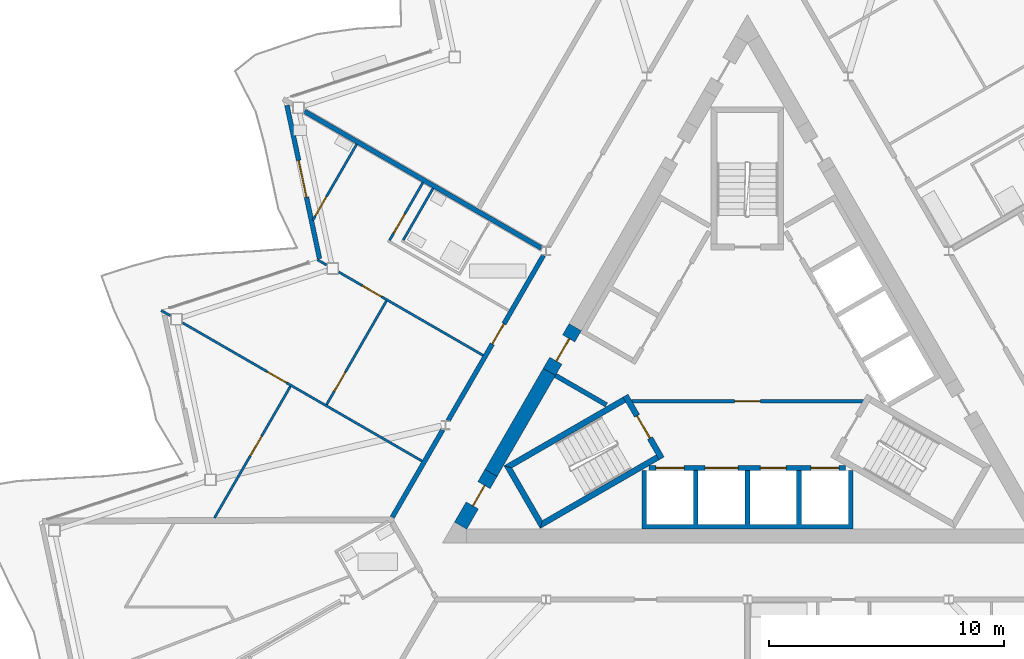
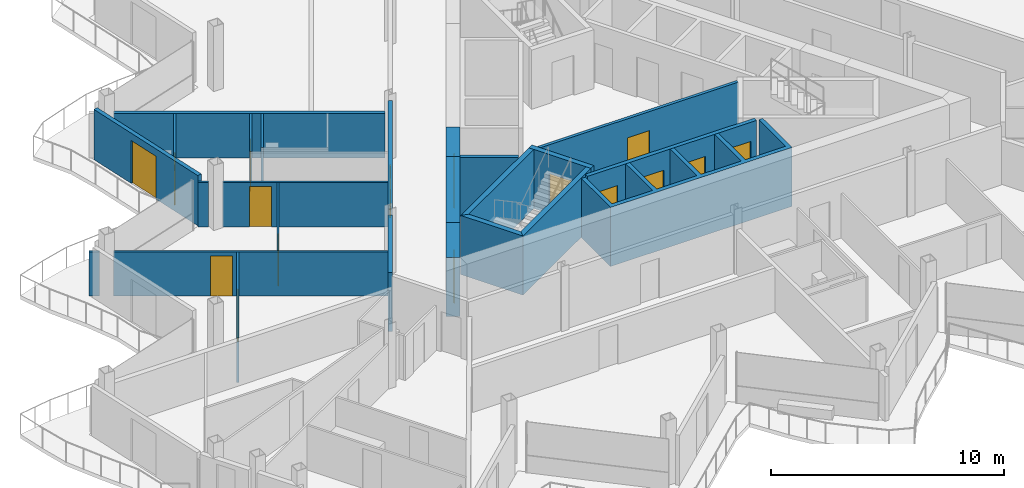
# One storey, part 13 of 26: 24 walls, 16 doors, 16 openings.
"""IFC4 building model written with IfcOpenShell, lengths in metres."""

from ifc_helpers import new_model, si_unit, direction, frame, frame_2d, origin, place, context, subcontext, project, spatial, polyline, rectangle, outline, extrude, material, layer, layer_set, type_object, element, fill, save


model = new_model("IFC4")

# Units and contexts
model_context = context("Model", 3, precision=1e-05, world=origin(), true_north=direction((0.0, 1.0)))
body_context = subcontext(model_context, "Body", "Model", "MODEL_VIEW")
ifc_project = project(units=[si_unit("LENGTHUNIT", "METRE"), si_unit("AREAUNIT", "SQUARE_METRE"), si_unit("VOLUMEUNIT", "CUBIC_METRE"), si_unit("PLANEANGLEUNIT", "RADIAN"), si_unit("MASSUNIT", "GRAM", prefix="KILO")], contexts=[model_context])

# Site, building, storey
site_placement = place(None, origin())
site = spatial("IfcSite", under=ifc_project, at=site_placement, CompositionType="ELEMENT")
building_placement = place(site_placement, origin())
building = spatial("IfcBuilding", under=site, at=building_placement, Name="Cormorant Prow Tower", CompositionType="ELEMENT")
storey_placement = place(building_placement, frame((0.0, 0.0, 364.39990234375)))
storey = spatial("IfcBuildingStorey", under=building, at=storey_placement, Name="L81", CompositionType="ELEMENT", Elevation=364.39990234375)

# Wall, opening, door
ifc_material_1 = material(Name="Gypsum board partition")
ifc_layer_1 = layer(ifc_material_1, 0.14990234375)
ifc_layer_set_1 = layer_set([ifc_layer_1], Name="Gypsum board partition")
wall_type_1 = type_object("IfcWallType", Name="Core partition 150", PredefinedType="PARTITIONING", material=ifc_layer_set_1)
wall_1_placement = place(storey_placement, frame((-4.941162109375, -1.449951171875, 0.0), z_axis=(0.0, 0.0, 1.0), x_axis=(1.0, 0.0, 0.0)))
wall_1 = element("IfcWall", 1, at=wall_1_placement, inside=storey, type_object=wall_type_1, Name="Firefighting lobby partition", PredefinedType="PARTITIONING", context=body_context, shape_type="SweptSolid", body=[
    extrude(rectangle(XDim=9.88232421875, YDim=0.14990234375, at=frame_2d((4.941162109375, 0.0))), origin(), (0.0, 0.0, 1.0), 3.10009765625),
])
opening_1_placement = place(wall_1_placement, frame((4.39111328125, 0.0, 0.0)))
opening_1 = element("IfcOpeningElement", 2, at=opening_1_placement, cuts=wall_1, Name="Opening L81-C11", PredefinedType="OPENING", context=body_context, shape_type="SweptSolid", body=[
    extrude(rectangle(XDim=1.10009765625, YDim=2.10009765625, at=frame_2d((0.550048828125, 1.050048828125))), frame((0.0, 0.0849609375, 0.0), z_axis=(0.0, -1.0, 0.0), x_axis=(1.0, 0.0, 0.0)), (0.0, 0.0, 1.0), 0.169921875),
])
ifc_material_2 = material(Name="Painted steel", Category="steel")
door_type_1 = type_object("IfcDoorType", Name="Firefighting lobby door 1100x2100", OperationType="NOTDEFINED", PredefinedType="DOOR", material=ifc_material_2)
door_1_placement = place(opening_1_placement, origin())
door_1 = element("IfcDoor", 3, at=door_1_placement, inside=storey, type_object=door_type_1, Name="Firefighting lobby door", OperationType="SINGLE_SWING_LEFT", OverallHeight=2.10009765625, OverallWidth=1.10009765625, PredefinedType="DOOR", context=body_context, shape_type="SweptSolid", body=[
    extrude(rectangle(XDim=1.10009765625, YDim=2.10009765625, at=frame_2d((0.550048828125, 1.050048828125))), frame((0.0, 0.02490234375, 0.0), z_axis=(0.0, -1.0, 0.0), x_axis=(1.0, 0.0, 0.0)), (0.0, 0.0, 1.0), 0.050048828125),
])
fill(opening_1, door_1)

# Wall
ifc_material_3 = material(Name="Concrete 8000 psi", Category="concrete")
ifc_layer_2 = layer(ifc_material_3, 0.60009765625)
ifc_layer_set_2 = layer_set([ifc_layer_2], Name="Concrete 8000 psi")
wall_type_2 = type_object("IfcWallType", Name="Core shear wall 600", PredefinedType="SHEAR", material=ifc_layer_set_2)
wall_2_placement = place(storey_placement, frame((-8.440185546875, -0.207763671875, 0.0), z_axis=(0.0, 0.0, 1.0), x_axis=(-0.500007425856, -0.866021116422, 0.0)))
element("IfcWall", 4, at=wall_2_placement, inside=storey, type_object=wall_type_2, Name="Core wall", PredefinedType="SHEAR", context=body_context, shape_type="SweptSolid", body=[
    extrude(rectangle(XDim=4.96875, YDim=0.60009765625, at=frame_2d((2.484375, 0.0))), origin(), (0.0, 0.0, 1.0), 3.10009765625),
])

# Wall, opening, door
wall_3_placement = place(storey_placement, frame((-10.924560546875, -4.5107421875, 0.0), z_axis=(0.0, 0.0, 1.0), x_axis=(-0.500018667571, -0.866014625789, 0.0)))
wall_3 = element("IfcWall", 5, at=wall_3_placement, inside=storey, type_object=wall_type_2, Name="Core wall door panel", PredefinedType="SHEAR", context=body_context, shape_type="SweptSolid", body=[
    extrude(rectangle(XDim=2.59228515625, YDim=0.60009765625, at=frame_2d((1.296142578125, 0.0))), origin(), (0.0, 0.0, 1.0), 3.10009765625),
])
opening_2_placement = place(wall_3_placement, frame((0.60009765625, 0.0, 0.0)))
opening_2 = element("IfcOpeningElement", 6, at=opening_2_placement, cuts=wall_3, Name="Opening L81-C15", PredefinedType="OPENING", context=body_context, shape_type="SweptSolid", body=[
    extrude(rectangle(XDim=1.0, YDim=2.10009765625, at=frame_2d((0.5, 1.050048828125))), frame((0.0, 0.31005859375, 0.0), z_axis=(0.0, -1.0, 0.0), x_axis=(1.0, 0.0, 0.0)), (0.0, 0.0, 1.0), 0.6201171875),
])
ifc_material_4 = material(Name="Painted steel", Category="steel")
door_type_2 = type_object("IfcDoorType", Name="Service door 1000x2100", OperationType="NOTDEFINED", PredefinedType="DOOR", material=ifc_material_4)
door_2_placement = place(opening_2_placement, origin())
door_2 = element("IfcDoor", 7, at=door_2_placement, inside=storey, type_object=door_type_2, Name="Core door, Electrical room", OperationType="SINGLE_SWING_RIGHT", OverallHeight=2.10009765625, OverallWidth=1.0, PredefinedType="DOOR", context=body_context, shape_type="SweptSolid", body=[
    extrude(rectangle(XDim=1.0, YDim=2.10009765625, at=frame_2d((0.5, 1.050048828125))), frame((0.0, 0.05517578125, 0.0), z_axis=(0.0, -1.0, 0.0), x_axis=(1.0, 0.0, 0.0)), (0.0, 0.0, 1.0), 0.050048828125),
])
fill(opening_2, door_2)

wall_4_placement = place(storey_placement, frame((-7.340087890625, 1.697509765625, 0.0), z_axis=(0.0, 0.0, 1.0), x_axis=(-0.50002983664, -0.866008176907, 0.0)))
wall_4 = element("IfcWall", 8, at=wall_4_placement, inside=storey, type_object=wall_type_2, Name="Core wall door panel", PredefinedType="SHEAR", context=body_context, shape_type="SweptSolid", body=[
    extrude(rectangle(XDim=2.199951171875, YDim=0.60009765625, at=frame_2d((1.10009765625, 0.0))), origin(), (0.0, 0.0, 1.0), 3.10009765625),
])
opening_3_placement = place(wall_4_placement, frame((0.550048828125, 0.0, 0.0)))
opening_3 = element("IfcOpeningElement", 9, at=opening_3_placement, cuts=wall_4, Name="Opening L81-C20", PredefinedType="OPENING", context=body_context, shape_type="SweptSolid", body=[
    extrude(rectangle(XDim=1.10009765625, YDim=2.10009765625, at=frame_2d((0.550048828125, 1.050048828125))), frame((0.0, 0.31005859375, 0.0), z_axis=(0.0, -1.0, 0.0), x_axis=(1.0, 0.0, 0.0)), (0.0, 0.0, 1.0), 0.6201171875),
])
ifc_material_5 = material(Name="Painted steel", Category="steel")
door_type_3 = type_object("IfcDoorType", Name="Core door 1100x2100", OperationType="NOTDEFINED", PredefinedType="DOOR", material=ifc_material_5)
door_3_placement = place(opening_3_placement, origin())
door_3 = element("IfcDoor", 10, at=door_3_placement, inside=storey, type_object=door_type_3, Name="Core door, lift lobby", OperationType="SINGLE_SWING_RIGHT", OverallHeight=2.10009765625, OverallWidth=1.10009765625, PredefinedType="DOOR", context=body_context, shape_type="SweptSolid", body=[
    extrude(rectangle(XDim=1.10009765625, YDim=2.10009765625, at=frame_2d((0.550048828125, 1.050048828125))), frame((0.0, 0.05517578125, 0.0), z_axis=(0.0, -1.0, 0.0), x_axis=(1.0, 0.0, 0.0)), (0.0, 0.0, 1.0), 0.050048828125),
])
fill(opening_3, door_3)

ifc_material_6 = material(Name="Gypsum board corridor wall")
ifc_layer_3 = layer(ifc_material_6, 0.199951171875)
ifc_layer_set_3 = layer_set([ifc_layer_3], Name="Gypsum board corridor wall")
wall_type_3 = type_object("IfcWallType", Name="Corridor wall 200", PredefinedType="PARTITIONING", material=ifc_layer_set_3)
wall_5_placement = place(storey_placement, frame((-12.75390625, -2.279296875, 0.0), z_axis=(0.0, 0.0, 1.0), x_axis=(0.500001682468, 0.866024432409, 0.0)))
wall_5 = element("IfcWall", 11, at=wall_5_placement, inside=storey, type_object=wall_type_3, Name="Corridor wall", PredefinedType="PARTITIONING", context=body_context, shape_type="SweptSolid", body=[
    extrude(rectangle(XDim=8.12353515625, YDim=0.199951171875, at=frame_2d((4.061767578125, 0.0))), origin(), (0.0, 0.0, 1.0), 3.10009765625),
])
opening_4_placement = place(wall_5_placement, frame((3.762451171875, 0.0, 0.0)))
opening_4 = element("IfcOpeningElement", 12, at=opening_4_placement, cuts=wall_5, Name="Opening L81-F37", PredefinedType="OPENING", context=body_context, shape_type="SweptSolid", body=[
    extrude(rectangle(XDim=1.0, YDim=2.10009765625, at=frame_2d((0.5, 1.050048828125))), frame((0.0, 0.10986328125, 0.0), z_axis=(0.0, -1.0, 0.0), x_axis=(1.0, 0.0, 0.0)), (0.0, 0.0, 1.0), 0.219970703125),
])
ifc_material_7 = material(Name="Timber door leaf", Category="wood")
door_type_4 = type_object("IfcDoorType", Name="Flat or room entrance door 1000x2100", OperationType="NOTDEFINED", PredefinedType="DOOR", material=ifc_material_7)
door_4_placement = place(opening_4_placement, origin())
door_4 = element("IfcDoor", 13, at=door_4_placement, inside=storey, type_object=door_type_4, Name="Living room door", OperationType="SINGLE_SWING_LEFT", OverallHeight=2.10009765625, OverallWidth=1.0, PredefinedType="DOOR", context=body_context, shape_type="SweptSolid", body=[
    extrude(rectangle(XDim=1.0, YDim=2.10009765625, at=frame_2d((0.5, 1.050048828125))), frame((0.0, 0.02490234375, 0.0), z_axis=(0.0, -1.0, 0.0), x_axis=(1.0, 0.0, 0.0)), (0.0, 0.0, 1.0), 0.050048828125),
])
fill(opening_4, door_4)

# Walls
wall_6_placement = place(storey_placement, frame((-15.13134765625, -6.397216796875, 0.0), z_axis=(0.0, 0.0, 1.0), x_axis=(0.499986217557, 0.866033360935, 0.0)))
element("IfcWall", 14, at=wall_6_placement, inside=storey, type_object=wall_type_3, Name="Corridor wall", PredefinedType="PARTITIONING", context=body_context, shape_type="SweptSolid", body=[
    extrude(rectangle(XDim=4.2998046875, YDim=0.199951171875, at=frame_2d((2.14990234375, 0.0))), origin(), (0.0, 0.0, 1.0), 3.10009765625),
])
ifc_material_8 = material(Name="Gypsum board demising wall")
ifc_layer_4 = layer(ifc_material_8, 0.199951171875)
ifc_layer_set_4 = layer_set([ifc_layer_4], Name="Gypsum board demising wall")
wall_type_4 = type_object("IfcWallType", Name="Demising wall 200", PredefinedType="PARTITIONING", material=ifc_layer_set_4)
wall_7_placement = place(storey_placement, frame((-18.86865234375, 10.893798828125, 0.0), z_axis=(0.0, 0.0, 1.0), x_axis=(0.866023724155, -0.500002909193, 0.0)))
element("IfcWall", 15, at=wall_7_placement, inside=storey, type_object=wall_type_4, Name="Demising wall", PredefinedType="PARTITIONING", context=body_context, shape_type="SweptSolid", body=[
    extrude(rectangle(XDim=11.65478515625, YDim=0.199951171875, at=frame_2d((5.827392578125, 0.0))), origin(), (0.0, 0.0, 1.0), 2.330078125),
])

# Wall, opening, door
ifc_material_9 = material(Name="Gypsum board partition")
ifc_layer_5 = layer(ifc_material_9, 0.10009765625)
ifc_layer_set_5 = layer_set([ifc_layer_5], Name="Gypsum board partition")
wall_type_5 = type_object("IfcWallType", Name="Internal partition 100", PredefinedType="PARTITIONING", material=ifc_layer_set_5)
wall_8_placement = place(storey_placement, frame((-24.068603515625, 1.88720703125, 0.0), z_axis=(0.0, 0.0, 1.0), x_axis=(0.866023404247, -0.500003463284, 0.0)))
wall_8 = element("IfcWall", 16, at=wall_8_placement, inside=storey, type_object=wall_type_5, Name="Internal partition", PredefinedType="PARTITIONING", context=body_context, shape_type="SweptSolid", body=[
    extrude(rectangle(XDim=11.7822265625, YDim=0.10009765625, at=frame_2d((5.89111328125, 0.0))), origin(), (0.0, 0.0, 1.0), 2.330078125),
])
opening_5_placement = place(wall_8_placement, frame((4.162109375, 0.0, 0.0)))
opening_5 = element("IfcOpeningElement", 17, at=opening_5_placement, cuts=wall_8, Name="Opening L81-F42", PredefinedType="OPENING", context=body_context, shape_type="SweptSolid", body=[
    extrude(rectangle(XDim=0.949951171875, YDim=2.10009765625, at=frame_2d((0.47509765625, 1.050048828125))), frame((0.0, 0.06005859375, 0.0), z_axis=(0.0, -1.0, 0.0), x_axis=(1.0, 0.0, 0.0)), (0.0, 0.0, 1.0), 0.1201171875),
])
ifc_material_10 = material(Name="Timber door leaf", Category="wood")
door_type_5 = type_object("IfcDoorType", Name="Bathroom door 950x2100", OperationType="NOTDEFINED", PredefinedType="DOOR", material=ifc_material_10)
door_5_placement = place(opening_5_placement, origin())
door_5 = element("IfcDoor", 18, at=door_5_placement, inside=storey, type_object=door_type_5, Name="Bedroom door", OperationType="SINGLE_SWING_RIGHT", OverallHeight=2.10009765625, OverallWidth=0.949951171875, PredefinedType="DOOR", context=body_context, shape_type="SweptSolid", body=[
    extrude(rectangle(XDim=0.949951171875, YDim=2.10009765625, at=frame_2d((0.47509765625, 1.050048828125))), frame((0.0, 0.02490234375, 0.0), z_axis=(0.0, -1.0, 0.0), x_axis=(1.0, 0.0, 0.0)), (0.0, 0.0, 1.0), 0.050048828125),
])
fill(opening_5, door_5)

wall_9_placement = place(storey_placement, frame((-17.413818359375, 4.04931640625, 0.0), z_axis=(0.0, 0.0, 1.0), x_axis=(0.866033839264, -0.499985389037, 0.0)))
wall_9 = element("IfcWall", 19, at=wall_9_placement, inside=storey, type_object=wall_type_5, Name="Internal partition", PredefinedType="PARTITIONING", context=body_context, shape_type="SweptSolid", body=[
    extrude(rectangle(XDim=7.099853515625, YDim=0.10009765625, at=frame_2d((3.5498046875, 0.0))), origin(), (0.0, 0.0, 1.0), 2.330078125),
])
opening_6_placement = place(wall_9_placement, frame((1.157958984375, 0.0, 0.0)))
opening_6 = element("IfcOpeningElement", 20, at=opening_6_placement, cuts=wall_9, Name="Opening L81-F40", PredefinedType="OPENING", context=body_context, shape_type="SweptSolid", body=[
    extrude(rectangle(XDim=0.949951171875, YDim=2.10009765625, at=frame_2d((0.47509765625, 1.050048828125))), frame((0.0, 0.06005859375, 0.0), z_axis=(0.0, -1.0, 0.0), x_axis=(1.0, 0.0, 0.0)), (0.0, 0.0, 1.0), 0.1201171875),
])
door_6_placement = place(opening_6_placement, origin())
door_6 = element("IfcDoor", 21, at=door_6_placement, inside=storey, type_object=door_type_5, Name="Living room door", OperationType="SINGLE_SWING_RIGHT", OverallHeight=2.10009765625, OverallWidth=0.949951171875, PredefinedType="DOOR", context=body_context, shape_type="SweptSolid", body=[
    extrude(rectangle(XDim=0.949951171875, YDim=2.10009765625, at=frame_2d((0.47509765625, 1.050048828125))), frame((0.0, 0.02490234375, 0.0), z_axis=(0.0, -1.0, 0.0), x_axis=(1.0, 0.0, 0.0)), (0.0, 0.0, 1.0), 0.050048828125),
])
fill(opening_6, door_6)

wall_10_placement = place(storey_placement, frame((-22.7099609375, -6.42919921875, 0.0), z_axis=(0.0, 0.0, 1.0), x_axis=(0.499984737558, 0.86603421538, 0.0)))
wall_10 = element("IfcWall", 22, at=wall_10_placement, inside=storey, type_object=wall_type_5, Name="Internal partition", PredefinedType="PARTITIONING", context=body_context, shape_type="SweptSolid", body=[
    extrude(rectangle(XDim=6.472900390625, YDim=0.10009765625, at=frame_2d((3.236328125, 0.0))), origin(), (0.0, 0.0, 1.0), 2.330078125),
])
opening_7_placement = place(wall_10_placement, frame((3.062744140625, 0.0, 0.0)))
opening_7 = element("IfcOpeningElement", 23, at=opening_7_placement, cuts=wall_10, Name="Opening L81-F43", PredefinedType="OPENING", context=body_context, shape_type="SweptSolid", body=[
    extrude(rectangle(XDim=0.949951171875, YDim=2.10009765625, at=frame_2d((0.47509765625, 1.050048828125))), frame((0.0, 0.06005859375, 0.0), z_axis=(0.0, -1.0, 0.0), x_axis=(1.0, 0.0, 0.0)), (0.0, 0.0, 1.0), 0.1201171875),
])
door_7_placement = place(opening_7_placement, origin())
door_7 = element("IfcDoor", 24, at=door_7_placement, inside=storey, type_object=door_type_5, Name="Bedroom door", OperationType="SINGLE_SWING_LEFT", OverallHeight=2.10009765625, OverallWidth=0.949951171875, PredefinedType="DOOR", context=body_context, shape_type="SweptSolid", body=[
    extrude(rectangle(XDim=0.949951171875, YDim=2.10009765625, at=frame_2d((0.47509765625, 1.050048828125))), frame((0.0, 0.02490234375, 0.0), z_axis=(0.0, -1.0, 0.0), x_axis=(1.0, 0.0, 0.0)), (0.0, 0.0, 1.0), 0.050048828125),
])
fill(opening_7, door_7)

wall_11_placement = place(storey_placement, frame((-17.930908203125, -1.598876953125, 0.0), z_axis=(0.0, 0.0, 1.0), x_axis=(0.500005610874, 0.86602216432, 0.0)))
wall_11 = element("IfcWall", 25, at=wall_11_placement, inside=storey, type_object=wall_type_5, Name="Internal partition", PredefinedType="PARTITIONING", context=body_context, shape_type="SweptSolid", body=[
    extrude(rectangle(XDim=5.10009765625, YDim=0.10009765625, at=frame_2d((2.550048828125, 0.0))), origin(), (0.0, 0.0, 1.0), 2.330078125),
])
opening_8_placement = place(wall_11_placement, frame((0.655517578125, 0.0, 0.0)))
opening_8 = element("IfcOpeningElement", 26, at=opening_8_placement, cuts=wall_11, Name="Opening L81-F41", PredefinedType="OPENING", context=body_context, shape_type="SweptSolid", body=[
    extrude(rectangle(XDim=0.949951171875, YDim=2.10009765625, at=frame_2d((0.47509765625, 1.050048828125))), frame((0.0, 0.06005859375, 0.0), z_axis=(0.0, -1.0, 0.0), x_axis=(1.0, 0.0, 0.0)), (0.0, 0.0, 1.0), 0.1201171875),
])
door_8_placement = place(opening_8_placement, origin())
door_8 = element("IfcDoor", 27, at=door_8_placement, inside=storey, type_object=door_type_5, Name="Bedroom door", OperationType="SINGLE_SWING_LEFT", OverallHeight=2.10009765625, OverallWidth=0.949951171875, PredefinedType="DOOR", context=body_context, shape_type="SweptSolid", body=[
    extrude(rectangle(XDim=0.949951171875, YDim=2.10009765625, at=frame_2d((0.47509765625, 1.050048828125))), frame((0.0, 0.02490234375, 0.0), z_axis=(0.0, -1.0, 0.0), x_axis=(1.0, 0.0, 0.0)), (0.0, 0.0, 1.0), 0.050048828125),
])
fill(opening_8, door_8)

wall_12_placement = place(storey_placement, frame((-18.522705078125, 6.24658203125, 0.0), z_axis=(0.0, 0.0, 1.0), x_axis=(0.499981580887, 0.866036037803, 0.0)))
wall_12 = element("IfcWall", 28, at=wall_12_placement, inside=storey, type_object=wall_type_5, Name="Internal partition", PredefinedType="PARTITIONING", context=body_context, shape_type="SweptSolid", body=[
    extrude(rectangle(XDim=3.751708984375, YDim=0.10009765625, at=frame_2d((1.8759765625, 0.0))), origin(), (0.0, 0.0, 1.0), 2.330078125),
])
opening_9_placement = place(wall_12_placement, frame((0.222412109375, 0.0, 0.0)))
opening_9 = element("IfcOpeningElement", 29, at=opening_9_placement, cuts=wall_12, Name="Opening L81-F38", PredefinedType="OPENING", context=body_context, shape_type="SweptSolid", body=[
    extrude(rectangle(XDim=0.949951171875, YDim=2.10009765625, at=frame_2d((0.47509765625, 1.050048828125))), frame((0.0, 0.06005859375, 0.0), z_axis=(0.0, -1.0, 0.0), x_axis=(1.0, 0.0, 0.0)), (0.0, 0.0, 1.0), 0.1201171875),
])
door_9_placement = place(opening_9_placement, origin())
door_9 = element("IfcDoor", 30, at=door_9_placement, inside=storey, type_object=door_type_5, Name="Living room door", OperationType="SINGLE_SWING_LEFT", OverallHeight=2.10009765625, OverallWidth=0.949951171875, PredefinedType="DOOR", context=body_context, shape_type="SweptSolid", body=[
    extrude(rectangle(XDim=0.949951171875, YDim=2.10009765625, at=frame_2d((0.47509765625, 1.050048828125))), frame((0.0, 0.02490234375, 0.0), z_axis=(0.0, -1.0, 0.0), x_axis=(1.0, 0.0, 0.0)), (0.0, 0.0, 1.0), 0.050048828125),
])
fill(opening_9, door_9)

wall_13_placement = place(storey_placement, frame((-15.24951171875, 5.39794921875, 0.0), z_axis=(0.0, 0.0, 1.0), x_axis=(0.499935029643, 0.866062911188, 0.0)))
wall_13 = element("IfcWall", 31, at=wall_13_placement, inside=storey, type_object=wall_type_5, Name="Internal partition", PredefinedType="PARTITIONING", context=body_context, shape_type="SweptSolid", body=[
    extrude(rectangle(XDim=2.85009765625, YDim=0.10009765625, at=frame_2d((1.425048828125, 0.0))), origin(), (0.0, 0.0, 1.0), 2.330078125),
])
opening_10_placement = place(wall_13_placement, frame((0.35009765625, 0.0, 0.0)))
opening_10 = element("IfcOpeningElement", 32, at=opening_10_placement, cuts=wall_13, Name="Opening L81-F39", PredefinedType="OPENING", context=body_context, shape_type="SweptSolid", body=[
    extrude(rectangle(XDim=0.949951171875, YDim=2.10009765625, at=frame_2d((0.47509765625, 1.050048828125))), frame((0.0, 0.06005859375, 0.0), z_axis=(0.0, -1.0, 0.0), x_axis=(1.0, 0.0, 0.0)), (0.0, 0.0, 1.0), 0.1201171875),
])
door_10_placement = place(opening_10_placement, origin())
door_10 = element("IfcDoor", 33, at=door_10_placement, inside=storey, type_object=door_type_5, Name="Living room door", OperationType="SINGLE_SWING_LEFT", OverallHeight=2.10009765625, OverallWidth=0.949951171875, PredefinedType="DOOR", context=body_context, shape_type="SweptSolid", body=[
    extrude(rectangle(XDim=0.949951171875, YDim=2.10009765625, at=frame_2d((0.47509765625, 1.050048828125))), frame((0.0, 0.02490234375, 0.0), z_axis=(0.0, -1.0, 0.0), x_axis=(1.0, 0.0, 0.0)), (0.0, 0.0, 1.0), 0.050048828125),
])
fill(opening_10, door_10)

# Walls
wall_14_placement = place(storey_placement, frame((-14.66650390625, 5.40771484375, 0.0), z_axis=(0.0, 0.0, 1.0), x_axis=(0.499948979701, 0.866054858364, 0.0)))
element("IfcWall", 34, at=wall_14_placement, inside=storey, type_object=wall_type_5, Name="Internal partition", PredefinedType="PARTITIONING", context=body_context, shape_type="SweptSolid", body=[
    extrude(rectangle(XDim=2.550048828125, YDim=0.10009765625, at=frame_2d((1.27490234375, 0.0))), origin(), (0.0, 0.0, 1.0), 2.330078125),
])
for number, where, z_axis, x_axis, name in (
    (35, (-24.9794921875, 2.4130859375, 0.0), (0.0, 0.0, 1.0), (0.866104518135, -0.499862944882, 0.0), "Internal partition"),
    (36, (-18.32470703125, 4.5751953125, 0.0), (0.0, 0.0, 1.0), (0.866104518135, -0.499862944882, 0.0), "Internal partition"),
):
    element("IfcWall", number, at=place(storey_placement, frame(where, z_axis=z_axis, x_axis=x_axis)), inside=storey, type_object=wall_type_5, Name=name, PredefinedType="PARTITIONING", context=body_context, shape_type="SweptSolid", body=[
        extrude(rectangle(XDim=0.451416015625, YDim=0.10009765625, at=frame_2d((0.2255859375, 0.0))), origin(), (0.0, 0.0, 1.0), 2.330078125),
    ])

# Wall, openings, doors
ifc_material_11 = material(Name="Concrete 5000 psi", Category="concrete")
ifc_layer_6 = layer(ifc_material_11, 0.199951171875)
ifc_layer_set_6 = layer_set([ifc_layer_6], Name="Concrete 5000 psi")
wall_type_6 = type_object("IfcWallType", Name="Lift lobby wall 200", PredefinedType="SOLIDWALL", material=ifc_layer_set_6)
wall_15_placement = place(storey_placement, frame((-4.1865234375, -4.300048828125, 0.0), z_axis=(0.0, 0.0, 1.0), x_axis=(1.0, 0.0, 0.0)))
wall_15 = element("IfcWall", 37, at=wall_15_placement, inside=storey, type_object=wall_type_6, Name="Lift lobby wall, S block", PredefinedType="SOLIDWALL", context=body_context, shape_type="SweptSolid", body=[
    extrude(rectangle(XDim=8.373046875, YDim=0.199951171875, at=frame_2d((4.1865234375, 0.0))), origin(), (0.0, 0.0, 1.0), 3.10009765625),
])
opening_11_placement = place(wall_15_placement, frame((0.28662109375, 0.0, 0.0)))
opening_11 = element("IfcOpeningElement", 38, at=opening_11_placement, cuts=wall_15, Name="Opening L81-C01", PredefinedType="OPENING", context=body_context, shape_type="SweptSolid", body=[
    extrude(rectangle(XDim=1.199951171875, YDim=2.10009765625, at=frame_2d((0.60009765625, 1.050048828125))), frame((0.0, 0.10986328125, 0.0), z_axis=(0.0, -1.0, 0.0), x_axis=(1.0, 0.0, 0.0)), (0.0, 0.0, 1.0), 0.219970703125),
])
opening_12_placement = place(wall_15_placement, frame((2.38671875, 0.0, 0.0)))
opening_12 = element("IfcOpeningElement", 39, at=opening_12_placement, cuts=wall_15, Name="Opening L81-C02", PredefinedType="OPENING", context=body_context, shape_type="SweptSolid", body=[
    extrude(rectangle(XDim=1.39990234375, YDim=2.10009765625, at=frame_2d((0.699951171875, 1.050048828125))), frame((0.0, 0.10986328125, 0.0), z_axis=(0.0, -1.0, 0.0), x_axis=(1.0, 0.0, 0.0)), (0.0, 0.0, 1.0), 0.219970703125),
])
opening_13_placement = place(wall_15_placement, frame((4.736572265625, 0.0, 0.0)))
opening_13 = element("IfcOpeningElement", 40, at=opening_13_placement, cuts=wall_15, Name="Opening L81-C03", PredefinedType="OPENING", context=body_context, shape_type="SweptSolid", body=[
    extrude(rectangle(XDim=1.10009765625, YDim=2.10009765625, at=frame_2d((0.550048828125, 1.050048828125))), frame((0.0, 0.10986328125, 0.0), z_axis=(0.0, -1.0, 0.0), x_axis=(1.0, 0.0, 0.0)), (0.0, 0.0, 1.0), 0.219970703125),
])
opening_14_placement = place(wall_15_placement, frame((6.88671875, 0.0, 0.0)))
opening_14 = element("IfcOpeningElement", 41, at=opening_14_placement, cuts=wall_15, Name="Opening L81-C04", PredefinedType="OPENING", context=body_context, shape_type="SweptSolid", body=[
    extrude(rectangle(XDim=1.199951171875, YDim=2.10009765625, at=frame_2d((0.60009765625, 1.050048828125))), frame((0.0, 0.10986328125, 0.0), z_axis=(0.0, -1.0, 0.0), x_axis=(1.0, 0.0, 0.0)), (0.0, 0.0, 1.0), 0.219970703125),
])
ifc_material_12 = material(Name="Painted steel", Category="steel")
door_type_6 = type_object("IfcDoorType", Name="Firefighting lift landing door 1200x2100", OperationType="SLIDING_TO_LEFT", PredefinedType="DOOR", material=ifc_material_12)
door_11_placement = place(opening_11_placement, origin())
door_11 = element("IfcDoor", 42, at=door_11_placement, inside=storey, type_object=door_type_6, Name="Landing door FL1", OperationType="SLIDING_TO_LEFT", OverallHeight=2.10009765625, OverallWidth=1.199951171875, PredefinedType="DOOR", context=body_context, shape_type="SweptSolid", body=[
    extrude(rectangle(XDim=1.199951171875, YDim=2.10009765625, at=frame_2d((0.60009765625, 1.050048828125))), frame((0.0, 0.02490234375, 0.0), z_axis=(0.0, -1.0, 0.0), x_axis=(1.0, 0.0, 0.0)), (0.0, 0.0, 1.0), 0.050048828125),
])
fill(opening_11, door_11)
door_12_placement = place(opening_14_placement, origin())
door_12 = element("IfcDoor", 43, at=door_12_placement, inside=storey, type_object=door_type_6, Name="Landing door FL2", OperationType="SLIDING_TO_LEFT", OverallHeight=2.10009765625, OverallWidth=1.199951171875, PredefinedType="DOOR", context=body_context, shape_type="SweptSolid", body=[
    extrude(rectangle(XDim=1.199951171875, YDim=2.10009765625, at=frame_2d((0.60009765625, 1.050048828125))), frame((0.0, 0.02490234375, 0.0), z_axis=(0.0, -1.0, 0.0), x_axis=(1.0, 0.0, 0.0)), (0.0, 0.0, 1.0), 0.050048828125),
])
fill(opening_14, door_12)
ifc_material_13 = material(Name="Painted steel", Category="steel")
door_type_7 = type_object("IfcDoorType", Name="Lift landing door 1100x2100", OperationType="SLIDING_TO_LEFT", PredefinedType="DOOR", material=ifc_material_13)
door_13_placement = place(opening_13_placement, origin())
door_13 = element("IfcDoor", 44, at=door_13_placement, inside=storey, type_object=door_type_7, Name="Landing door HR1", OperationType="SLIDING_TO_LEFT", OverallHeight=2.10009765625, OverallWidth=1.10009765625, PredefinedType="DOOR", context=body_context, shape_type="SweptSolid", body=[
    extrude(rectangle(XDim=1.10009765625, YDim=2.10009765625, at=frame_2d((0.550048828125, 1.050048828125))), frame((0.0, 0.02490234375, 0.0), z_axis=(0.0, -1.0, 0.0), x_axis=(1.0, 0.0, 0.0)), (0.0, 0.0, 1.0), 0.050048828125),
])
fill(opening_13, door_13)
ifc_material_14 = material(Name="Painted steel", Category="steel")
door_type_8 = type_object("IfcDoorType", Name="Service lift landing door 1400x2100", OperationType="SLIDING_TO_LEFT", PredefinedType="DOOR", material=ifc_material_14)
door_14_placement = place(opening_12_placement, origin())
door_14 = element("IfcDoor", 45, at=door_14_placement, inside=storey, type_object=door_type_8, Name="Landing door SL1", OperationType="SLIDING_TO_LEFT", OverallHeight=2.10009765625, OverallWidth=1.39990234375, PredefinedType="DOOR", context=body_context, shape_type="SweptSolid", body=[
    extrude(rectangle(XDim=1.39990234375, YDim=2.10009765625, at=frame_2d((0.699951171875, 1.050048828125))), frame((0.0, 0.02490234375, 0.0), z_axis=(0.0, -1.0, 0.0), x_axis=(1.0, 0.0, 0.0)), (0.0, 0.0, 1.0), 0.050048828125),
])
fill(opening_12, door_14)

# Walls
ifc_material_15 = material(Name="Concrete 8000 psi", Category="concrete")
ifc_layer_7 = layer(ifc_material_15, 0.199951171875)
ifc_layer_set_7 = layer_set([ifc_layer_7], Name="Concrete 8000 psi")
wall_type_7 = type_object("IfcWallType", Name="Lift shaft wall 200", PredefinedType="SHEAR", material=ifc_layer_set_7)
wall_16_placement = place(storey_placement, origin())
element("IfcWall", 46, at=wall_16_placement, inside=storey, type_object=wall_type_7, Name="Lift shaft walls, S block", PredefinedType="SHEAR", context=body_context, shape_type="SweptSolid", body=[
    extrude(outline(polyline([(4.5, -4.39990234375), (4.5, -6.906005859375), (-4.5, -6.906005859375), (-4.5, -4.39990234375), (-4.300048828125, -4.39990234375), (-4.300048828125, -6.699951171875), (-2.300048828125, -6.699951171875), (-2.300048828125, -4.39990234375), (-2.10009765625, -4.39990234375), (-2.10009765625, -6.699951171875), (-0.10009765625, -6.699951171875), (-0.10009765625, -4.39990234375), (0.10009765625, -4.39990234375), (0.10009765625, -6.699951171875), (2.10009765625, -6.699951171875), (2.10009765625, -4.39990234375), (2.300048828125, -4.39990234375), (2.300048828125, -6.699951171875), (4.300048828125, -6.699951171875), (4.300048828125, -4.39990234375), (4.5, -4.39990234375)])), origin(), (0.0, 0.0, 1.0), 3.10009765625),
])
wall_17_placement = place(storey_placement, origin())
element("IfcWall", 47, at=wall_17_placement, inside=storey, type_object=wall_type_7, Name="Lift shaft walls, WNW block", PredefinedType="SHEAR", context=body_context, shape_type="SweptSolid", body=[
    extrude(outline(polyline([(-6.060546875, -1.697021484375), (-8.230712890625, -0.444091796875), (-8.130859375, -0.27099609375), (-5.96044921875, -1.52392578125), (-6.060546875, -1.697021484375)])), origin(), (0.0, 0.0, 1.0), 3.10009765625),
])
ifc_material_16 = material(Name="Concrete 8000 psi", Category="concrete")
ifc_layer_8 = layer(ifc_material_16, 0.25)
ifc_layer_set_8 = layer_set([ifc_layer_8], Name="Concrete 8000 psi")
wall_type_8 = type_object("IfcWallType", Name="Stair wall 250", PredefinedType="SHEAR", material=ifc_layer_set_8)
wall_18_placement = place(storey_placement, origin())
element("IfcWall", 48, at=wall_18_placement, inside=storey, type_object=wall_type_8, Name="Stair ST1 enclosure wall (flank)", PredefinedType="SHEAR", context=body_context, shape_type="SweptSolid", body=[
    extrude(outline(polyline([(-5.30712890625, -1.28125), (-10.37353515625, -4.206298828125), (-10.031982421875, -4.2978515625), (-5.18212890625, -1.497802734375), (-5.30712890625, -1.28125)])), origin(), (0.0, 0.0, 1.0), 3.10009765625),
])
wall_19_placement = place(storey_placement, origin())
element("IfcWall", 49, at=wall_19_placement, inside=storey, type_object=wall_type_8, Name="Stair ST1 enclosure wall (end)", PredefinedType="SHEAR", context=body_context, shape_type="SweptSolid", body=[
    extrude(outline(polyline([(-10.37353515625, -4.206298828125), (-8.82958984375, -6.880615234375), (-8.738037109375, -6.5390625), (-10.031982421875, -4.2978515625), (-10.37353515625, -4.206298828125)])), origin(), (0.0, 0.0, 1.0), 3.10009765625),
])
wall_20_placement = place(storey_placement, origin())
element("IfcWall", 50, at=wall_20_placement, inside=storey, type_object=wall_type_8, Name="Stair ST1 enclosure wall (flank)", PredefinedType="SHEAR", context=body_context, shape_type="SweptSolid", body=[
    extrude(outline(polyline([(-8.738037109375, -6.5390625), (-8.82958984375, -6.880615234375), (-3.76318359375, -3.95556640625), (-3.88818359375, -3.739013671875), (-8.738037109375, -6.5390625)])), origin(), (0.0, 0.0, 1.0), 3.10009765625),
])

# Wall, opening, door
wall_21_placement = place(storey_placement, frame((-5.198974609375, -1.21875, 0.0), z_axis=(0.0, 0.0, 1.0), x_axis=(0.499982516597, -0.866035497597, 0.0)))
wall_21 = element("IfcWall", 51, at=wall_21_placement, inside=storey, type_object=wall_type_8, Name="Stair ST1 door wall", PredefinedType="SHEAR", context=body_context, shape_type="SweptSolid", body=[
    extrude(rectangle(XDim=3.087890625, YDim=0.25, at=frame_2d((1.5439453125, 0.0))), origin(), (0.0, 0.0, 1.0), 3.10009765625),
])
opening_15_placement = place(wall_21_placement, frame((0.993896484375, 0.0, 0.0)))
opening_15 = element("IfcOpeningElement", 52, at=opening_15_placement, cuts=wall_21, Name="Opening L81-C12", PredefinedType="OPENING", context=body_context, shape_type="SweptSolid", body=[
    extrude(rectangle(XDim=1.10009765625, YDim=2.10009765625, at=frame_2d((0.550048828125, 1.050048828125))), frame((0.0, 0.135009765625, 0.0), z_axis=(0.0, -1.0, 0.0), x_axis=(1.0, 0.0, 0.0)), (0.0, 0.0, 1.0), 0.27001953125),
])
ifc_material_17 = material(Name="Painted steel", Category="steel")
door_type_9 = type_object("IfcDoorType", Name="Stair door 1100x2100", OperationType="NOTDEFINED", PredefinedType="DOOR", material=ifc_material_17)
door_15_placement = place(opening_15_placement, origin())
door_15 = element("IfcDoor", 53, at=door_15_placement, inside=storey, type_object=door_type_9, Name="Stair ST1 door", OperationType="SINGLE_SWING_LEFT", OverallHeight=2.10009765625, OverallWidth=1.10009765625, PredefinedType="DOOR", context=body_context, shape_type="SweptSolid", body=[
    extrude(rectangle(XDim=1.10009765625, YDim=2.10009765625, at=frame_2d((0.550048828125, 1.050048828125))), frame((0.0, 0.02490234375, 0.0), z_axis=(0.0, -1.0, 0.0), x_axis=(1.0, 0.0, 0.0)), (0.0, 0.0, 1.0), 0.050048828125),
])
fill(opening_15, door_15)

ifc_material_18 = material(Name="Terracotta", Category="masonry")
ifc_layer_9 = layer(ifc_material_18, 0.199951171875)
ifc_layer_set_9 = layer_set([ifc_layer_9], Name="Terracotta")
wall_type_9 = type_object("IfcWallType", Name="Terracotta jamb wall 200", PredefinedType="SOLIDWALL", material=ifc_layer_set_9)
wall_22_placement = place(storey_placement, frame((-19.6201171875, 11.150390625, 0.0), z_axis=(0.0, 0.0, 1.0), x_axis=(0.207933518746, -0.97814296081, 0.0)))
wall_22 = element("IfcWall", 54, at=wall_22_placement, inside=storey, type_object=wall_type_9, Name="Terracotta jamb wall WNW05", PredefinedType="SOLIDWALL", context=body_context, shape_type="SweptSolid", body=[
    extrude(rectangle(XDim=6.678466796875, YDim=0.199951171875, at=frame_2d((3.33935546875, 0.0))), origin(), (0.0, 0.0, 1.0), 2.634033203125),
])
opening_16_placement = place(wall_22_placement, frame((2.402099609375, 0.0, 0.0)))
opening_16 = element("IfcOpeningElement", 55, at=opening_16_placement, cuts=wall_22, Name="Opening ED81.13", PredefinedType="OPENING", context=body_context, shape_type="SweptSolid", body=[
    extrude(rectangle(XDim=1.60009765625, YDim=2.25, at=frame_2d((0.800048828125, 1.125))), frame((0.0, 0.10986328125, 0.0), z_axis=(0.0, -1.0, 0.0), x_axis=(1.0, 0.0, 0.0)), (0.0, 0.0, 1.0), 0.219970703125),
])
ifc_material_19 = material(Name="Aluminium 6063-T6", Category="aluminium")
door_type_10 = type_object("IfcDoorType", Name="Balcony door 1600x2250", OperationType="DOUBLE_DOOR_SINGLE_SWING", PredefinedType="DOOR", material=ifc_material_19)
door_16_placement = place(opening_16_placement, origin())
door_16 = element("IfcDoor", 56, at=door_16_placement, inside=storey, type_object=door_type_10, Name="Balcony door WNW05 ED81.13", OperationType="DOUBLE_DOOR_SINGLE_SWING", OverallHeight=2.25, OverallWidth=1.60009765625, PredefinedType="DOOR", context=body_context, shape_type="SweptSolid", body=[
    extrude(rectangle(XDim=1.60009765625, YDim=2.25, at=frame_2d((0.800048828125, 1.125))), frame((0.0, 0.02490234375, 0.0), z_axis=(0.0, -1.0, 0.0), x_axis=(1.0, 0.0, 0.0)), (0.0, 0.0, 1.0), 0.050048828125),
])
fill(opening_16, door_16)

save(model, "model.ifc")
